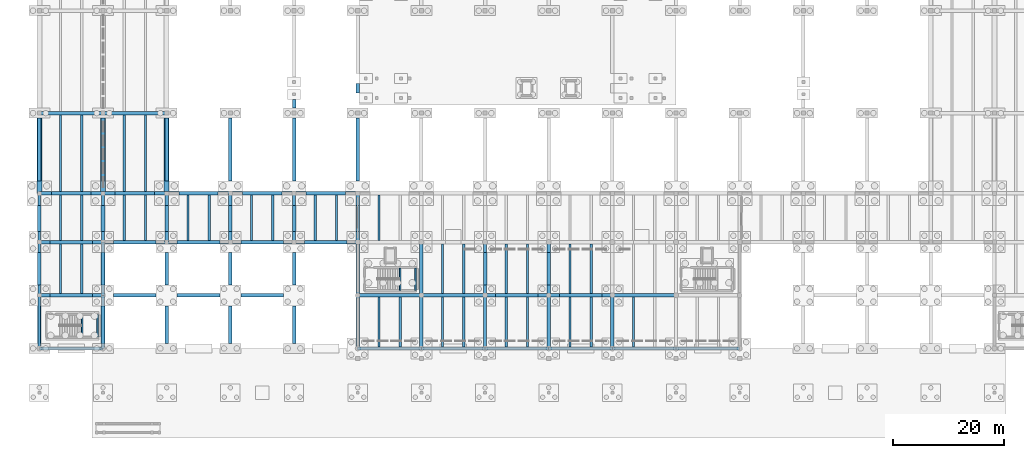
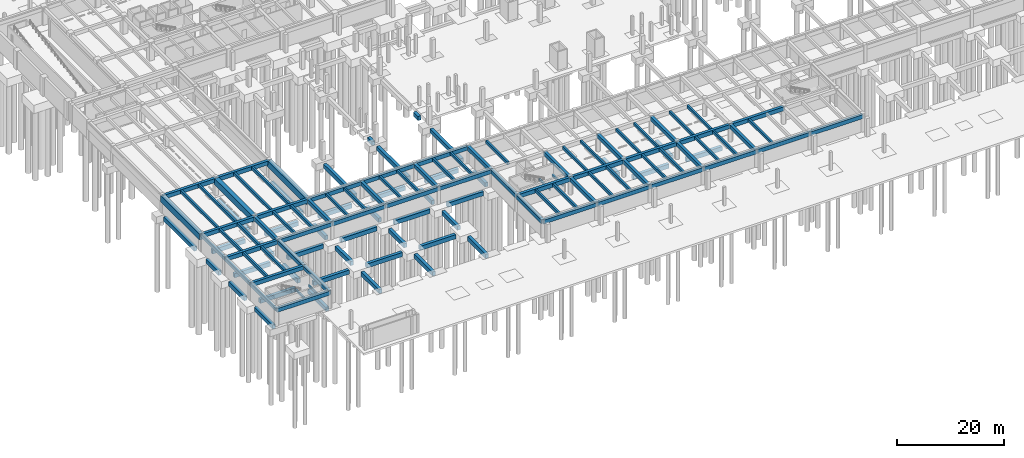
# One storey, part 11 of 28: 125 beams.
"""IFC4 building model written with IfcOpenShell, lengths in metres."""

from ifc_helpers import new_model, si_unit, direction, frame, origin, origin_2d, place, context, subcontext, project, spatial, rectangle, extrude, material, material_profile, profile_set, type_object, element, save


model = new_model("IFC4")

# Units and contexts
model_context = context("Model", 3, precision=1e-05, world=origin(), true_north=direction((0.0, 1.0)))
body_context = subcontext(model_context, "Body", "Model", "MODEL_VIEW")
ifc_project = project(units=[si_unit("LENGTHUNIT", "METRE"), si_unit("AREAUNIT", "SQUARE_METRE"), si_unit("VOLUMEUNIT", "CUBIC_METRE"), si_unit("PLANEANGLEUNIT", "RADIAN"), si_unit("MASSUNIT", "GRAM", prefix="KILO")], contexts=[model_context])

# Site, building, storey
site_placement = place(None, origin())
site = spatial("IfcSite", under=ifc_project, at=site_placement, CompositionType="ELEMENT")
building_placement = place(site_placement, origin())
building = spatial("IfcBuilding", under=site, at=building_placement, Name="Ologun Quay Terminus", CompositionType="ELEMENT")
storey_placement = place(building_placement, frame((0.0, 0.0, -8.39990234375)))
storey = spatial("IfcBuildingStorey", under=building, at=storey_placement, Name="B02", CompositionType="ELEMENT", Elevation=-8.39990234375)

# Beams
ifc_material_1 = material(Name="Concrete C40/50", Category="concrete")
ifc_material_profile_1 = material_profile(ifc_material_1, rectangle(XDim=0.300048828125, YDim=0.449951171875, at=origin_2d()), Name="RC 300x450")
ifc_profile_set_1 = profile_set([ifc_material_profile_1], Name="Concrete C40/50")
beam_type_1 = type_object("IfcBeamType", Name="Core Coupling Lintel Beam 300x450", PredefinedType="LINTEL", material=ifc_profile_set_1)
for number, where, z_axis, x_axis, name in (
    (1, (7.68994140625, 10.080078125, 1.69482421875), (0.0, 1.0, 0.0), (-1.0, 0.0, 0.0), "LN1 Half-Landing Ledger Beam ST-S1-W B02"),
    (2, (10.510009765625, 10.080078125, 1.69482421875), (0.0, 1.0, 0.0), (-1.0, 0.0, 0.0), "LN1 Half-Landing Ledger Beam ST-S1-E B02"),
    (3, (65.139892578125, 18.47998046875, 1.69482421875), (0.0, 1.0, 0.0), (-1.0, 0.0, 0.0), "LN1 Half-Landing Ledger Beam ST-S3-W B02"),
    (4, (67.9599609375, 18.47998046875, 1.69482421875), (0.0, 1.0, 0.0), (-1.0, 0.0, 0.0), "LN1 Half-Landing Ledger Beam ST-S3-E B02"),
):
    element("IfcBeam", number, at=place(storey_placement, frame(where, z_axis=z_axis, x_axis=x_axis)), inside=storey, type_object=beam_type_1, Name=name, PredefinedType="LINTEL", context=body_context, shape_type="SweptSolid", body=[
        extrude(rectangle(XDim=0.300048828125, YDim=0.449951171875, at=origin_2d()), origin(), (0.0, 0.0, 1.0), 4.0400390625),
    ])
ifc_material_2 = material(Name="Concrete C35/45", Category="concrete")
ifc_material_profile_2 = material_profile(ifc_material_2, rectangle(XDim=0.64990234375, YDim=0.949951171875, at=origin_2d()), Name="RC 650x950")
ifc_profile_set_2 = profile_set([ifc_material_profile_2], Name="Concrete C35/45")
beam_type_2 = type_object("IfcBeamType", Name="Foundation Tie Beam 650x950", PredefinedType="BEAM", material=ifc_profile_set_2)
for number, where, z_axis, x_axis, name in (
    (5, (1.89990234375, 17.60009765625, -0.925048828125), (1.0, 0.0, 0.0), (0.0, 1.0, 0.0), "GB1 Beam 1/C B02"),
    (6, (13.39990234375, 17.60009765625, -0.925048828125), (1.0, 0.0, 0.0), (0.0, 1.0, 0.0), "GB1 Beam 1/C B02"),
    (7, (24.89990234375, 17.60009765625, -0.925048828125), (1.0, 0.0, 0.0), (0.0, 1.0, 0.0), "GB1 Beam 1/C B02"),
    (8, (36.39990234375, 17.60009765625, -0.925048828125), (1.0, 0.0, 0.0), (0.0, 1.0, 0.0), "GB1 Beam 1/C B02"),
    (9, (82.39990234375, 17.60009765625, -0.925048828125), (1.0, 0.0, 0.0), (0.0, 1.0, 0.0), "GB1 Beam 1/C B02"),
    (10, (93.89990234375, 17.60009765625, -0.925048828125), (1.0, 0.0, 0.0), (0.0, 1.0, 0.0), "GB1 Beam 1/C B02"),
    (11, (1.89990234375, 27.199951171875, -0.925048828125), (1.0, 0.0, 0.0), (0.0, 1.0, 0.0), "GB1 Beam 1/D B02"),
    (12, (13.39990234375, 27.199951171875, -0.925048828125), (1.0, 0.0, 0.0), (0.0, 1.0, 0.0), "GB1 Beam 1/D B02"),
    (13, (24.89990234375, 27.199951171875, -0.925048828125), (1.0, 0.0, 0.0), (0.0, 1.0, 0.0), "GB1 Beam 1/D B02"),
    (14, (36.39990234375, 27.199951171875, -0.925048828125), (1.0, 0.0, 0.0), (0.0, 1.0, 0.0), "GB1 Beam 1/D B02"),
    (15, (47.89990234375, 27.199951171875, -0.925048828125), (1.0, 0.0, 0.0), (0.0, 1.0, 0.0), "GB1 Beam 1/D B02"),
):
    element("IfcBeam", number, at=place(storey_placement, frame(where, z_axis=z_axis, x_axis=x_axis)), inside=storey, type_object=beam_type_2, Name=name, PredefinedType="BEAM", context=body_context, shape_type="SweptSolid", body=[
        extrude(rectangle(XDim=0.64990234375, YDim=0.949951171875, at=origin_2d()), origin(), (0.0, 0.0, 1.0), 7.7001953125),
    ])
for number, where, z_axis, x_axis, name in (
    (16, (2.199951171875, 36.0, -0.925048828125), (1.0, 0.0, 0.0), (0.0, 1.0, 0.0), "GB1 Beam 1/E B02"),
    (17, (13.699951171875, 36.0, -0.925048828125), (1.0, 0.0, 0.0), (0.0, 1.0, 0.0), "GB1 Beam 1/E B02"),
    (18, (25.199951171875, 36.0, -0.925048828125), (1.0, 0.0, 0.0), (0.0, 1.0, 0.0), "GB1 Beam 1/E B02"),
    (19, (36.699951171875, 36.0, -0.925048828125), (1.0, 0.0, 0.0), (0.0, 1.0, 0.0), "GB1 Beam 1/E B02"),
    (20, (48.199951171875, 36.0, -0.925048828125), (1.0, 0.0, 0.0), (0.0, 1.0, 0.0), "GB1 Beam 1/E B02"),
):
    element("IfcBeam", number, at=place(storey_placement, frame(where, z_axis=z_axis, x_axis=x_axis)), inside=storey, type_object=beam_type_2, Name=name, PredefinedType="BEAM", context=body_context, shape_type="SweptSolid", body=[
        extrude(rectangle(XDim=0.64990234375, YDim=0.949951171875, at=origin_2d()), origin(), (0.0, 0.0, 1.0), 7.10009765625),
    ])
beam_1_placement = place(storey_placement, frame((0.0, 8.89990234375, -0.925048828125), z_axis=(0.0, 1.0, 0.0), x_axis=(-1.0, 0.0, 0.0)))
element("IfcBeam", 21, at=beam_1_placement, inside=storey, type_object=beam_type_2, Name="GB1 Beam 1/B B02", PredefinedType="BEAM", context=body_context, shape_type="SweptSolid", body=[
    extrude(rectangle(XDim=0.64990234375, YDim=0.949951171875, at=origin_2d()), origin(), (0.0, 0.0, 1.0), 6.800048828125),
])
beam_2_placement = place(storey_placement, frame((0.0, 19.5, -0.925048828125), z_axis=(0.0, 1.0, 0.0), x_axis=(-1.0, 0.0, 0.0)))
element("IfcBeam", 22, at=beam_2_placement, inside=storey, type_object=beam_type_2, Name="GB1 Beam 1/B B02", PredefinedType="BEAM", context=body_context, shape_type="SweptSolid", body=[
    extrude(rectangle(XDim=0.64990234375, YDim=0.949951171875, at=origin_2d()), origin(), (0.0, 0.0, 1.0), 5.800048828125),
])
beam_3_placement = place(storey_placement, frame((0.0, 29.10009765625, -0.925048828125), z_axis=(0.0, 1.0, 0.0), x_axis=(-1.0, 0.0, 0.0)))
element("IfcBeam", 23, at=beam_3_placement, inside=storey, type_object=beam_type_2, Name="GB1 Beam 1/B B02", PredefinedType="BEAM", context=body_context, shape_type="SweptSolid", body=[
    extrude(rectangle(XDim=0.64990234375, YDim=0.949951171875, at=origin_2d()), origin(), (0.0, 0.0, 1.0), 4.699951171875),
])
beam_4_placement = place(storey_placement, frame((0.0, 38.199951171875, -0.925048828125), z_axis=(0.0, 1.0, 0.0), x_axis=(-1.0, 0.0, 0.0)))
element("IfcBeam", 24, at=beam_4_placement, inside=storey, type_object=beam_type_2, Name="GB1 Beam 1/B B02", PredefinedType="BEAM", context=body_context, shape_type="SweptSolid", body=[
    extrude(rectangle(XDim=0.64990234375, YDim=0.949951171875, at=origin_2d()), origin(), (0.0, 0.0, 1.0), 11.400146484375),
])
beam_5_placement = place(storey_placement, frame((11.5, 8.89990234375, -0.925048828125), z_axis=(0.0, 1.0, 0.0), x_axis=(-1.0, 0.0, 0.0)))
element("IfcBeam", 25, at=beam_5_placement, inside=storey, type_object=beam_type_2, Name="GB1 Beam 2/B B02", PredefinedType="BEAM", context=body_context, shape_type="SweptSolid", body=[
    extrude(rectangle(XDim=0.64990234375, YDim=0.949951171875, at=origin_2d()), origin(), (0.0, 0.0, 1.0), 6.800048828125),
])
beam_6_placement = place(storey_placement, frame((11.5, 19.5, -0.925048828125), z_axis=(0.0, 1.0, 0.0), x_axis=(-1.0, 0.0, 0.0)))
element("IfcBeam", 26, at=beam_6_placement, inside=storey, type_object=beam_type_2, Name="GB1 Beam 2/B B02", PredefinedType="BEAM", context=body_context, shape_type="SweptSolid", body=[
    extrude(rectangle(XDim=0.64990234375, YDim=0.949951171875, at=origin_2d()), origin(), (0.0, 0.0, 1.0), 5.800048828125),
])
beam_7_placement = place(storey_placement, frame((11.5, 29.10009765625, -0.925048828125), z_axis=(0.0, 1.0, 0.0), x_axis=(-1.0, 0.0, 0.0)))
element("IfcBeam", 27, at=beam_7_placement, inside=storey, type_object=beam_type_2, Name="GB1 Beam 2/B B02", PredefinedType="BEAM", context=body_context, shape_type="SweptSolid", body=[
    extrude(rectangle(XDim=0.64990234375, YDim=0.949951171875, at=origin_2d()), origin(), (0.0, 0.0, 1.0), 4.699951171875),
])
beam_8_placement = place(storey_placement, frame((11.5, 38.199951171875, -0.925048828125), z_axis=(0.0, 1.0, 0.0), x_axis=(-1.0, 0.0, 0.0)))
element("IfcBeam", 28, at=beam_8_placement, inside=storey, type_object=beam_type_2, Name="GB1 Beam 2/B B02", PredefinedType="BEAM", context=body_context, shape_type="SweptSolid", body=[
    extrude(rectangle(XDim=0.64990234375, YDim=0.949951171875, at=origin_2d()), origin(), (0.0, 0.0, 1.0), 11.400146484375),
])
beam_9_placement = place(storey_placement, frame((23.0, 8.89990234375, -0.925048828125), z_axis=(0.0, 1.0, 0.0), x_axis=(-1.0, 0.0, 0.0)))
element("IfcBeam", 29, at=beam_9_placement, inside=storey, type_object=beam_type_2, Name="GB1 Beam 3/B B02", PredefinedType="BEAM", context=body_context, shape_type="SweptSolid", body=[
    extrude(rectangle(XDim=0.64990234375, YDim=0.949951171875, at=origin_2d()), origin(), (0.0, 0.0, 1.0), 6.800048828125),
])
beam_10_placement = place(storey_placement, frame((23.0, 19.5, -0.925048828125), z_axis=(0.0, 1.0, 0.0), x_axis=(-1.0, 0.0, 0.0)))
element("IfcBeam", 30, at=beam_10_placement, inside=storey, type_object=beam_type_2, Name="GB1 Beam 3/B B02", PredefinedType="BEAM", context=body_context, shape_type="SweptSolid", body=[
    extrude(rectangle(XDim=0.64990234375, YDim=0.949951171875, at=origin_2d()), origin(), (0.0, 0.0, 1.0), 5.800048828125),
])
beam_11_placement = place(storey_placement, frame((23.0, 29.10009765625, -0.925048828125), z_axis=(0.0, 1.0, 0.0), x_axis=(-1.0, 0.0, 0.0)))
element("IfcBeam", 31, at=beam_11_placement, inside=storey, type_object=beam_type_2, Name="GB1 Beam 3/B B02", PredefinedType="BEAM", context=body_context, shape_type="SweptSolid", body=[
    extrude(rectangle(XDim=0.64990234375, YDim=0.949951171875, at=origin_2d()), origin(), (0.0, 0.0, 1.0), 4.699951171875),
])
beam_12_placement = place(storey_placement, frame((23.0, 38.199951171875, -0.925048828125), z_axis=(0.0, 1.0, 0.0), x_axis=(-1.0, 0.0, 0.0)))
element("IfcBeam", 32, at=beam_12_placement, inside=storey, type_object=beam_type_2, Name="GB1 Beam 3/B B02", PredefinedType="BEAM", context=body_context, shape_type="SweptSolid", body=[
    extrude(rectangle(XDim=0.64990234375, YDim=0.949951171875, at=origin_2d()), origin(), (0.0, 0.0, 1.0), 11.400146484375),
])
beam_13_placement = place(storey_placement, frame((34.5, 8.89990234375, -0.925048828125), z_axis=(0.0, 1.0, 0.0), x_axis=(-1.0, 0.0, 0.0)))
element("IfcBeam", 33, at=beam_13_placement, inside=storey, type_object=beam_type_2, Name="GB1 Beam 4/B B02", PredefinedType="BEAM", context=body_context, shape_type="SweptSolid", body=[
    extrude(rectangle(XDim=0.64990234375, YDim=0.949951171875, at=origin_2d()), origin(), (0.0, 0.0, 1.0), 6.800048828125),
])
beam_14_placement = place(storey_placement, frame((34.5, 19.5, -0.925048828125), z_axis=(0.0, 1.0, 0.0), x_axis=(-1.0, 0.0, 0.0)))
element("IfcBeam", 34, at=beam_14_placement, inside=storey, type_object=beam_type_2, Name="GB1 Beam 4/B B02", PredefinedType="BEAM", context=body_context, shape_type="SweptSolid", body=[
    extrude(rectangle(XDim=0.64990234375, YDim=0.949951171875, at=origin_2d()), origin(), (0.0, 0.0, 1.0), 5.800048828125),
])
beam_15_placement = place(storey_placement, frame((34.5, 29.10009765625, -0.925048828125), z_axis=(0.0, 1.0, 0.0), x_axis=(-1.0, 0.0, 0.0)))
element("IfcBeam", 35, at=beam_15_placement, inside=storey, type_object=beam_type_2, Name="GB1 Beam 4/B B02", PredefinedType="BEAM", context=body_context, shape_type="SweptSolid", body=[
    extrude(rectangle(XDim=0.64990234375, YDim=0.949951171875, at=origin_2d()), origin(), (0.0, 0.0, 1.0), 4.699951171875),
])
beam_16_placement = place(storey_placement, frame((34.5, 38.199951171875, -0.925048828125), z_axis=(0.0, 1.0, 0.0), x_axis=(-1.0, 0.0, 0.0)))
element("IfcBeam", 36, at=beam_16_placement, inside=storey, type_object=beam_type_2, Name="GB1 Beam 4/B B02", PredefinedType="BEAM", context=body_context, shape_type="SweptSolid", body=[
    extrude(rectangle(XDim=0.64990234375, YDim=0.949951171875, at=origin_2d()), origin(), (0.0, 0.0, 1.0), 11.400146484375),
])
beam_17_placement = place(storey_placement, frame((46.0, 8.89990234375, -0.925048828125), z_axis=(0.0, 1.0, 0.0), x_axis=(-1.0, 0.0, 0.0)))
element("IfcBeam", 37, at=beam_17_placement, inside=storey, type_object=beam_type_2, Name="GB1 Beam 5/B B02", PredefinedType="BEAM", context=body_context, shape_type="SweptSolid", body=[
    extrude(rectangle(XDim=0.64990234375, YDim=0.949951171875, at=origin_2d()), origin(), (0.0, 0.0, 1.0), 6.800048828125),
])
beam_18_placement = place(storey_placement, frame((46.0, 19.5, -0.925048828125), z_axis=(0.0, 1.0, 0.0), x_axis=(-1.0, 0.0, 0.0)))
element("IfcBeam", 38, at=beam_18_placement, inside=storey, type_object=beam_type_2, Name="GB1 Beam 5/B B02", PredefinedType="BEAM", context=body_context, shape_type="SweptSolid", body=[
    extrude(rectangle(XDim=0.64990234375, YDim=0.949951171875, at=origin_2d()), origin(), (0.0, 0.0, 1.0), 5.800048828125),
])
beam_19_placement = place(storey_placement, frame((46.0, 29.10009765625, -0.925048828125), z_axis=(0.0, 1.0, 0.0), x_axis=(-1.0, 0.0, 0.0)))
element("IfcBeam", 39, at=beam_19_placement, inside=storey, type_object=beam_type_2, Name="GB1 Beam 5/B B02", PredefinedType="BEAM", context=body_context, shape_type="SweptSolid", body=[
    extrude(rectangle(XDim=0.64990234375, YDim=0.949951171875, at=origin_2d()), origin(), (0.0, 0.0, 1.0), 4.699951171875),
])
beam_20_placement = place(storey_placement, frame((46.0, 38.199951171875, -0.925048828125), z_axis=(0.0, 1.0, 0.0), x_axis=(-1.0, 0.0, 0.0)))
element("IfcBeam", 40, at=beam_20_placement, inside=storey, type_object=beam_type_2, Name="GB1 Beam 5/B B02", PredefinedType="BEAM", context=body_context, shape_type="SweptSolid", body=[
    extrude(rectangle(XDim=0.64990234375, YDim=0.949951171875, at=origin_2d()), origin(), (0.0, 0.0, 1.0), 11.400146484375),
])
beam_21_placement = place(storey_placement, frame((46.0, 51.39990234375, -0.925048828125), z_axis=(0.0, 1.0, 0.0), x_axis=(-1.0, 0.0, 0.0)))
element("IfcBeam", 41, at=beam_21_placement, inside=storey, type_object=beam_type_2, Name="GB1 Beam 5/B B02", PredefinedType="BEAM", context=body_context, shape_type="SweptSolid", body=[
    extrude(rectangle(XDim=0.64990234375, YDim=0.949951171875, at=origin_2d()), origin(), (0.0, 0.0, 1.0), 1.60009765625),
])
beam_22_placement = place(storey_placement, frame((57.5, 29.10009765625, -0.925048828125), z_axis=(0.0, 1.0, 0.0), x_axis=(-1.0, 0.0, 0.0)))
element("IfcBeam", 42, at=beam_22_placement, inside=storey, type_object=beam_type_2, Name="GB1 Beam 6/B B02", PredefinedType="BEAM", context=body_context, shape_type="SweptSolid", body=[
    extrude(rectangle(XDim=0.64990234375, YDim=0.949951171875, at=origin_2d()), origin(), (0.0, 0.0, 1.0), 4.699951171875),
])
beam_23_placement = place(storey_placement, frame((57.5, 38.199951171875, -0.925048828125), z_axis=(0.0, 1.0, 0.0), x_axis=(-1.0, 0.0, 0.0)))
element("IfcBeam", 43, at=beam_23_placement, inside=storey, type_object=beam_type_2, Name="GB1 Beam 6/B B02", PredefinedType="BEAM", context=body_context, shape_type="SweptSolid", body=[
    extrude(rectangle(XDim=0.64990234375, YDim=0.949951171875, at=origin_2d()), origin(), (0.0, 0.0, 1.0), 11.400146484375),
])
beam_24_placement = place(storey_placement, frame((57.5, 54.14990234375, -0.925048828125), z_axis=(0.0, 1.0, 0.0), x_axis=(-1.0, 0.0, 0.0)))
element("IfcBeam", 44, at=beam_24_placement, inside=storey, type_object=beam_type_2, Name="GB1 Beam 6/B B02", PredefinedType="BEAM", context=body_context, shape_type="SweptSolid", body=[
    extrude(rectangle(XDim=0.64990234375, YDim=0.949951171875, at=origin_2d()), origin(), (0.0, 0.0, 1.0), 1.7001953125),
])
for number, where, z_axis, x_axis, name in (
    (45, (80.5, 19.5, -0.925048828125), (0.0, 1.0, 0.0), (-1.0, 0.0, 0.0), "GB1 Beam 8/B B02"),
    (46, (92.0, 19.5, -0.925048828125), (0.0, 1.0, 0.0), (-1.0, 0.0, 0.0), "GB1 Beam 9/B B02"),
):
    element("IfcBeam", number, at=place(storey_placement, frame(where, z_axis=z_axis, x_axis=x_axis)), inside=storey, type_object=beam_type_2, Name=name, PredefinedType="BEAM", context=body_context, shape_type="SweptSolid", body=[
        extrude(rectangle(XDim=0.64990234375, YDim=0.949951171875, at=origin_2d()), origin(), (0.0, 0.0, 1.0), 5.800048828125),
    ])
ifc_material_3 = material(Name="Concrete C45/55", Category="concrete")
ifc_material_profile_3 = material_profile(ifc_material_3, rectangle(XDim=0.89990234375, YDim=1.39990234375, at=origin_2d()), Name="RC 900x1400")
ifc_profile_set_3 = profile_set([ifc_material_profile_3], Name="Concrete C45/55")
beam_type_3 = type_object("IfcBeamType", Name="Heavy Track Deck Girder 900x1400", PredefinedType="BEAM", material=ifc_profile_set_3)
for number, where, z_axis, x_axis, name in (
    (47, (0.0, 36.0, 3.219970703125), (0.0, 1.0, 0.0), (-1.0, 0.0, 0.0), "B1 Beam 1/E B02"),
    (48, (11.5, 36.0, 3.219970703125), (0.0, 1.0, 0.0), (-1.0, 0.0, 0.0), "B1 Beam 2/E B02"),
    (49, (23.0, 36.0, 3.219970703125), (0.0, 1.0, 0.0), (-1.0, 0.0, 0.0), "B1 Beam 3/E B02"),
):
    element("IfcBeam", number, at=place(storey_placement, frame(where, z_axis=z_axis, x_axis=x_axis)), inside=storey, type_object=beam_type_3, Name=name, PredefinedType="BEAM", context=body_context, shape_type="SweptSolid", body=[
        extrude(rectangle(XDim=0.89990234375, YDim=1.39990234375, at=origin_2d()), origin(), (0.0, 0.0, 1.0), 14.5),
    ])
ifc_material_4 = material(Name="Concrete C40/50", Category="concrete")
ifc_material_profile_4 = material_profile(ifc_material_4, rectangle(XDim=0.449951171875, YDim=0.699951171875, at=origin_2d()), Name="RC 450x700")
ifc_profile_set_4 = profile_set([ifc_material_profile_4], Name="Concrete C40/50")
beam_type_4 = type_object("IfcBeamType", Name="Perimeter Spandrel Beam 450x700", PredefinedType="SPANDREL", material=ifc_profile_set_4)
beam_25_placement = place(storey_placement, frame((0.0, 8.0, 3.56982421875), z_axis=(0.0, 1.0, 0.0), x_axis=(-1.0, 0.0, 0.0)))
element("IfcBeam", 50, at=beam_25_placement, inside=storey, type_object=beam_type_4, Name="SP1 Beam 1/B B02", PredefinedType="SPANDREL", context=body_context, shape_type="SweptSolid", body=[
    extrude(rectangle(XDim=0.449951171875, YDim=0.699951171875, at=origin_2d()), origin(), (0.0, 0.0, 1.0), 9.60009765625),
])
beam_26_placement = place(storey_placement, frame((0.0, 17.60009765625, 3.56982421875), z_axis=(0.0, 1.0, 0.0), x_axis=(-1.0, 0.0, 0.0)))
element("IfcBeam", 51, at=beam_26_placement, inside=storey, type_object=beam_type_4, Name="SP1 Beam 1/C B02", PredefinedType="SPANDREL", context=body_context, shape_type="SweptSolid", body=[
    extrude(rectangle(XDim=0.449951171875, YDim=0.699951171875, at=origin_2d()), origin(), (0.0, 0.0, 1.0), 9.599853515625),
])
beam_27_placement = place(storey_placement, frame((0.0, 27.199951171875, 3.56982421875), z_axis=(0.0, 1.0, 0.0), x_axis=(-1.0, 0.0, 0.0)))
element("IfcBeam", 52, at=beam_27_placement, inside=storey, type_object=beam_type_4, Name="SP1 Beam 1/D B02", PredefinedType="SPANDREL", context=body_context, shape_type="SweptSolid", body=[
    extrude(rectangle(XDim=0.449951171875, YDim=0.699951171875, at=origin_2d()), origin(), (0.0, 0.0, 1.0), 8.800048828125),
])
ifc_material_5 = material(Name="Concrete C40/50", Category="concrete")
ifc_material_profile_5 = material_profile(ifc_material_5, rectangle(XDim=0.60009765625, YDim=0.89990234375, at=origin_2d()), Name="RC 600x900")
ifc_profile_set_5 = profile_set([ifc_material_profile_5], Name="Concrete C40/50")
beam_type_5 = type_object("IfcBeamType", Name="Station Frame Girder 600x900", PredefinedType="BEAM", material=ifc_profile_set_5)
for number, where, z_axis, x_axis, name in (
    (53, (0.0, 8.0, 3.469970703125), (1.0, 0.0, 0.0), (0.0, 1.0, 0.0), "B3 Beam 1/B B02"),
    (54, (57.5, 8.0, 3.469970703125), (1.0, 0.0, 0.0), (0.0, 1.0, 0.0), "B3 Beam 6/B B02"),
    (55, (69.0, 8.0, 3.469970703125), (1.0, 0.0, 0.0), (0.0, 1.0, 0.0), "B3 Beam 7/B B02"),
    (56, (80.5, 8.0, 3.469970703125), (1.0, 0.0, 0.0), (0.0, 1.0, 0.0), "B3 Beam 8/B B02"),
    (57, (92.0, 8.0, 3.469970703125), (1.0, 0.0, 0.0), (0.0, 1.0, 0.0), "B3 Beam 9/B B02"),
    (58, (103.5, 8.0, 3.469970703125), (1.0, 0.0, 0.0), (0.0, 1.0, 0.0), "B3 Beam 10/B B02"),
    (59, (115.0, 8.0, 3.469970703125), (1.0, 0.0, 0.0), (0.0, 1.0, 0.0), "B3 Beam 11/B B02"),
    (60, (0.0, 17.60009765625, 3.469970703125), (1.0, 0.0, 0.0), (0.0, 1.0, 0.0), "B3 Beam 1/C B02"),
    (61, (57.5, 17.60009765625, 3.469970703125), (1.0, 0.0, 0.0), (0.0, 1.0, 0.0), "B3 Beam 6/C B02"),
    (62, (69.0, 17.60009765625, 3.469970703125), (1.0, 0.0, 0.0), (0.0, 1.0, 0.0), "B3 Beam 7/C B02"),
    (63, (80.5, 17.60009765625, 3.469970703125), (1.0, 0.0, 0.0), (0.0, 1.0, 0.0), "B3 Beam 8/C B02"),
    (64, (92.0, 17.60009765625, 3.469970703125), (1.0, 0.0, 0.0), (0.0, 1.0, 0.0), "B3 Beam 9/C B02"),
    (65, (103.5, 17.60009765625, 3.469970703125), (1.0, 0.0, 0.0), (0.0, 1.0, 0.0), "B3 Beam 10/C B02"),
    (66, (0.0, 27.199951171875, 3.469970703125), (1.0, 0.0, 0.0), (0.0, 1.0, 0.0), "B3 Beam 1/D B02"),
    (67, (11.5, 27.199951171875, 3.469970703125), (1.0, 0.0, 0.0), (0.0, 1.0, 0.0), "B3 Beam 2/D B02"),
    (68, (23.0, 27.199951171875, 3.469970703125), (1.0, 0.0, 0.0), (0.0, 1.0, 0.0), "B3 Beam 3/D B02"),
    (69, (34.5, 27.199951171875, 3.469970703125), (1.0, 0.0, 0.0), (0.0, 1.0, 0.0), "B3 Beam 4/D B02"),
    (70, (46.0, 27.199951171875, 3.469970703125), (1.0, 0.0, 0.0), (0.0, 1.0, 0.0), "B3 Beam 5/D B02"),
    (71, (0.0, 36.0, 3.469970703125), (1.0, 0.0, 0.0), (0.0, 1.0, 0.0), "B3 Beam 1/E B02"),
    (72, (11.5, 36.0, 3.469970703125), (1.0, 0.0, 0.0), (0.0, 1.0, 0.0), "B3 Beam 2/E B02"),
    (73, (23.0, 36.0, 3.469970703125), (1.0, 0.0, 0.0), (0.0, 1.0, 0.0), "B3 Beam 3/E B02"),
    (74, (34.5, 36.0, 3.469970703125), (1.0, 0.0, 0.0), (0.0, 1.0, 0.0), "B3 Beam 4/E B02"),
    (75, (46.0, 36.0, 3.469970703125), (1.0, 0.0, 0.0), (0.0, 1.0, 0.0), "B3 Beam 5/E B02"),
    (76, (0.0, 50.5, 3.469970703125), (1.0, 0.0, 0.0), (0.0, 1.0, 0.0), "B3 Beam 1/E B02"),
    (77, (11.5, 50.5, 3.469970703125), (1.0, 0.0, 0.0), (0.0, 1.0, 0.0), "B3 Beam 2/E B02"),
):
    element("IfcBeam", number, at=place(storey_placement, frame(where, z_axis=z_axis, x_axis=x_axis)), inside=storey, type_object=beam_type_5, Name=name, PredefinedType="BEAM", context=body_context, shape_type="SweptSolid", body=[
        extrude(rectangle(XDim=0.60009765625, YDim=0.89990234375, at=origin_2d()), origin(), (0.0, 0.0, 1.0), 11.5),
    ])
beam_28_placement = place(storey_placement, frame((11.5, 8.0, 3.469970703125), z_axis=(0.0, 1.0, 0.0), x_axis=(-1.0, 0.0, 0.0)))
element("IfcBeam", 78, at=beam_28_placement, inside=storey, type_object=beam_type_5, Name="B3 Beam 2/B B02", PredefinedType="BEAM", context=body_context, shape_type="SweptSolid", body=[
    extrude(rectangle(XDim=0.60009765625, YDim=0.89990234375, at=origin_2d()), origin(), (0.0, 0.0, 1.0), 9.60009765625),
])
beam_29_placement = place(storey_placement, frame((11.5, 17.60009765625, 3.469970703125), z_axis=(0.0, 1.0, 0.0), x_axis=(-1.0, 0.0, 0.0)))
element("IfcBeam", 79, at=beam_29_placement, inside=storey, type_object=beam_type_5, Name="B3 Beam 2/C B02", PredefinedType="BEAM", context=body_context, shape_type="SweptSolid", body=[
    extrude(rectangle(XDim=0.60009765625, YDim=0.89990234375, at=origin_2d()), origin(), (0.0, 0.0, 1.0), 9.599853515625),
])
for number, where, z_axis, x_axis, name in (
    (80, (11.5, 27.199951171875, 3.469970703125), (0.0, 1.0, 0.0), (-1.0, 0.0, 0.0), "B3 Beam 2/D B02"),
    (81, (23.0, 27.199951171875, 3.469970703125), (0.0, 1.0, 0.0), (-1.0, 0.0, 0.0), "B3 Beam 3/D B02"),
    (82, (34.5, 27.199951171875, 3.469970703125), (0.0, 1.0, 0.0), (-1.0, 0.0, 0.0), "B3 Beam 4/D B02"),
    (83, (46.0, 27.199951171875, 3.469970703125), (0.0, 1.0, 0.0), (-1.0, 0.0, 0.0), "B3 Beam 5/D B02"),
):
    element("IfcBeam", number, at=place(storey_placement, frame(where, z_axis=z_axis, x_axis=x_axis)), inside=storey, type_object=beam_type_5, Name=name, PredefinedType="BEAM", context=body_context, shape_type="SweptSolid", body=[
        extrude(rectangle(XDim=0.60009765625, YDim=0.89990234375, at=origin_2d()), origin(), (0.0, 0.0, 1.0), 8.800048828125),
    ])
beam_30_placement = place(storey_placement, frame((57.5, 8.0, 3.469970703125), z_axis=(0.0, 1.0, 0.0), x_axis=(-1.0, 0.0, 0.0)))
element("IfcBeam", 84, at=beam_30_placement, inside=storey, type_object=beam_type_5, Name="B3 Beam 6/B B02", PredefinedType="BEAM", context=body_context, shape_type="SweptSolid", body=[
    extrude(rectangle(XDim=0.60009765625, YDim=0.89990234375, at=origin_2d()), origin(), (0.0, 0.0, 1.0), 9.60009765625),
])
beam_31_placement = place(storey_placement, frame((57.5, 17.60009765625, 3.469970703125), z_axis=(0.0, 1.0, 0.0), x_axis=(-1.0, 0.0, 0.0)))
element("IfcBeam", 85, at=beam_31_placement, inside=storey, type_object=beam_type_5, Name="B3 Beam 6/C B02", PredefinedType="BEAM", context=body_context, shape_type="SweptSolid", body=[
    extrude(rectangle(XDim=0.60009765625, YDim=0.89990234375, at=origin_2d()), origin(), (0.0, 0.0, 1.0), 9.599853515625),
])
beam_32_placement = place(storey_placement, frame((57.5, 27.199951171875, 3.469970703125), z_axis=(0.0, 1.0, 0.0), x_axis=(-1.0, 0.0, 0.0)))
element("IfcBeam", 86, at=beam_32_placement, inside=storey, type_object=beam_type_5, Name="B3 Beam 6/D B02", PredefinedType="BEAM", context=body_context, shape_type="SweptSolid", body=[
    extrude(rectangle(XDim=0.60009765625, YDim=0.89990234375, at=origin_2d()), origin(), (0.0, 0.0, 1.0), 8.800048828125),
])
beam_33_placement = place(storey_placement, frame((69.0, 8.0, 3.469970703125), z_axis=(0.0, 1.0, 0.0), x_axis=(-1.0, 0.0, 0.0)))
element("IfcBeam", 87, at=beam_33_placement, inside=storey, type_object=beam_type_5, Name="B3 Beam 7/B B02", PredefinedType="BEAM", context=body_context, shape_type="SweptSolid", body=[
    extrude(rectangle(XDim=0.60009765625, YDim=0.89990234375, at=origin_2d()), origin(), (0.0, 0.0, 1.0), 9.60009765625),
])
beam_34_placement = place(storey_placement, frame((69.0, 17.60009765625, 3.469970703125), z_axis=(0.0, 1.0, 0.0), x_axis=(-1.0, 0.0, 0.0)))
element("IfcBeam", 88, at=beam_34_placement, inside=storey, type_object=beam_type_5, Name="B3 Beam 7/C B02", PredefinedType="BEAM", context=body_context, shape_type="SweptSolid", body=[
    extrude(rectangle(XDim=0.60009765625, YDim=0.89990234375, at=origin_2d()), origin(), (0.0, 0.0, 1.0), 9.599853515625),
])
beam_35_placement = place(storey_placement, frame((80.5, 8.0, 3.469970703125), z_axis=(0.0, 1.0, 0.0), x_axis=(-1.0, 0.0, 0.0)))
element("IfcBeam", 89, at=beam_35_placement, inside=storey, type_object=beam_type_5, Name="B3 Beam 8/B B02", PredefinedType="BEAM", context=body_context, shape_type="SweptSolid", body=[
    extrude(rectangle(XDim=0.60009765625, YDim=0.89990234375, at=origin_2d()), origin(), (0.0, 0.0, 1.0), 9.60009765625),
])
beam_36_placement = place(storey_placement, frame((80.5, 17.60009765625, 3.469970703125), z_axis=(0.0, 1.0, 0.0), x_axis=(-1.0, 0.0, 0.0)))
element("IfcBeam", 90, at=beam_36_placement, inside=storey, type_object=beam_type_5, Name="B3 Beam 8/C B02", PredefinedType="BEAM", context=body_context, shape_type="SweptSolid", body=[
    extrude(rectangle(XDim=0.60009765625, YDim=0.89990234375, at=origin_2d()), origin(), (0.0, 0.0, 1.0), 9.599853515625),
])
beam_37_placement = place(storey_placement, frame((92.0, 8.0, 3.469970703125), z_axis=(0.0, 1.0, 0.0), x_axis=(-1.0, 0.0, 0.0)))
element("IfcBeam", 91, at=beam_37_placement, inside=storey, type_object=beam_type_5, Name="B3 Beam 9/B B02", PredefinedType="BEAM", context=body_context, shape_type="SweptSolid", body=[
    extrude(rectangle(XDim=0.60009765625, YDim=0.89990234375, at=origin_2d()), origin(), (0.0, 0.0, 1.0), 9.60009765625),
])
beam_38_placement = place(storey_placement, frame((92.0, 17.60009765625, 3.469970703125), z_axis=(0.0, 1.0, 0.0), x_axis=(-1.0, 0.0, 0.0)))
element("IfcBeam", 92, at=beam_38_placement, inside=storey, type_object=beam_type_5, Name="B3 Beam 9/C B02", PredefinedType="BEAM", context=body_context, shape_type="SweptSolid", body=[
    extrude(rectangle(XDim=0.60009765625, YDim=0.89990234375, at=origin_2d()), origin(), (0.0, 0.0, 1.0), 9.599853515625),
])
beam_39_placement = place(storey_placement, frame((103.5, 8.0, 3.469970703125), z_axis=(0.0, 1.0, 0.0), x_axis=(-1.0, 0.0, 0.0)))
element("IfcBeam", 93, at=beam_39_placement, inside=storey, type_object=beam_type_5, Name="B3 Beam 10/B B02", PredefinedType="BEAM", context=body_context, shape_type="SweptSolid", body=[
    extrude(rectangle(XDim=0.60009765625, YDim=0.89990234375, at=origin_2d()), origin(), (0.0, 0.0, 1.0), 9.60009765625),
])
ifc_material_6 = material(Name="Concrete C40/50", Category="concrete")
ifc_material_profile_6 = material_profile(ifc_material_6, rectangle(XDim=0.39990234375, YDim=0.64990234375, at=origin_2d()), Name="RC 400x650")
ifc_profile_set_6 = profile_set([ifc_material_profile_6], Name="Concrete C40/50")
beam_type_6 = type_object("IfcBeamType", Name="Station Secondary Joist 400x650", PredefinedType="JOIST", material=ifc_profile_set_6)
for number, where, z_axis, x_axis, name in (
    (94, (3.833251953125, 36.300048828125, 3.594970703125), (0.0, 1.0, 0.0), (-1.0, 0.0, 0.0), "J1 Beam 1/E B02"),
    (95, (7.666748046875, 36.300048828125, 3.594970703125), (0.0, 1.0, 0.0), (-1.0, 0.0, 0.0), "J1 Beam 1/E B02"),
    (96, (15.333251953125, 36.300048828125, 3.594970703125), (0.0, 1.0, 0.0), (-1.0, 0.0, 0.0), "J1 Beam 2/E B02"),
    (97, (19.166748046875, 36.300048828125, 3.594970703125), (0.0, 1.0, 0.0), (-1.0, 0.0, 0.0), "J1 Beam 2/E B02"),
):
    element("IfcBeam", number, at=place(storey_placement, frame(where, z_axis=z_axis, x_axis=x_axis)), inside=storey, type_object=beam_type_6, Name=name, PredefinedType="JOIST", context=body_context, shape_type="SweptSolid", body=[
        extrude(rectangle(XDim=0.39990234375, YDim=0.64990234375, at=origin_2d()), origin(), (0.0, 0.0, 1.0), 13.89990234375),
    ])
for number, where, z_axis, x_axis, name in (
    (98, (3.833251953125, 17.89990234375, 3.594970703125), (0.0, 1.0, 0.0), (-1.0, 0.0, 0.0), "J1 Beam 1/C B02"),
    (99, (7.666748046875, 17.89990234375, 3.594970703125), (0.0, 1.0, 0.0), (-1.0, 0.0, 0.0), "J1 Beam 1/C B02"),
):
    element("IfcBeam", number, at=place(storey_placement, frame(where, z_axis=z_axis, x_axis=x_axis)), inside=storey, type_object=beam_type_6, Name=name, PredefinedType="JOIST", context=body_context, shape_type="SweptSolid", body=[
        extrude(rectangle(XDim=0.39990234375, YDim=0.64990234375, at=origin_2d()), origin(), (0.0, 0.0, 1.0), 9.0),
    ])
for number, where, z_axis, x_axis, name in (
    (100, (3.833251953125, 27.5, 3.594970703125), (0.0, 1.0, 0.0), (-1.0, 0.0, 0.0), "J1 Beam 1/D B02"),
    (101, (7.666748046875, 27.5, 3.594970703125), (0.0, 1.0, 0.0), (-1.0, 0.0, 0.0), "J1 Beam 1/D B02"),
    (102, (15.333251953125, 27.5, 3.594970703125), (0.0, 1.0, 0.0), (-1.0, 0.0, 0.0), "J1 Beam 2/D B02"),
    (103, (19.166748046875, 27.5, 3.594970703125), (0.0, 1.0, 0.0), (-1.0, 0.0, 0.0), "J1 Beam 2/D B02"),
    (104, (26.833251953125, 27.5, 3.594970703125), (0.0, 1.0, 0.0), (-1.0, 0.0, 0.0), "J1 Beam 3/D B02"),
    (105, (30.666748046875, 27.5, 3.594970703125), (0.0, 1.0, 0.0), (-1.0, 0.0, 0.0), "J1 Beam 3/D B02"),
    (106, (38.333251953125, 27.5, 3.594970703125), (0.0, 1.0, 0.0), (-1.0, 0.0, 0.0), "J1 Beam 4/D B02"),
    (107, (42.166748046875, 27.5, 3.594970703125), (0.0, 1.0, 0.0), (-1.0, 0.0, 0.0), "J1 Beam 4/D B02"),
    (108, (49.833251953125, 27.5, 3.594970703125), (0.0, 1.0, 0.0), (-1.0, 0.0, 0.0), "J1 Beam 5/D B02"),
    (109, (53.666748046875, 27.5, 3.594970703125), (0.0, 1.0, 0.0), (-1.0, 0.0, 0.0), "J1 Beam 5/D B02"),
):
    element("IfcBeam", number, at=place(storey_placement, frame(where, z_axis=z_axis, x_axis=x_axis)), inside=storey, type_object=beam_type_6, Name=name, PredefinedType="JOIST", context=body_context, shape_type="SweptSolid", body=[
        extrude(rectangle(XDim=0.39990234375, YDim=0.64990234375, at=origin_2d()), origin(), (0.0, 0.0, 1.0), 8.199951171875),
    ])
for number, where, z_axis, x_axis, name in (
    (110, (61.333251953125, 8.300048828125, 3.594970703125), (0.0, 1.0, 0.0), (-1.0, 0.0, 0.0), "J1 Beam 6/B B02"),
    (111, (65.166748046875, 8.300048828125, 3.594970703125), (0.0, 1.0, 0.0), (-1.0, 0.0, 0.0), "J1 Beam 6/B B02"),
):
    element("IfcBeam", number, at=place(storey_placement, frame(where, z_axis=z_axis, x_axis=x_axis)), inside=storey, type_object=beam_type_6, Name=name, PredefinedType="JOIST", context=body_context, shape_type="SweptSolid", body=[
        extrude(rectangle(XDim=0.39990234375, YDim=0.64990234375, at=origin_2d()), origin(), (0.0, 0.0, 1.0), 9.0),
    ])
beam_40_placement = place(storey_placement, frame((61.333251953125, 27.5, 3.594970703125), z_axis=(0.0, 1.0, 0.0), x_axis=(-1.0, 0.0, 0.0)))
element("IfcBeam", 112, at=beam_40_placement, inside=storey, type_object=beam_type_6, Name="J1 Beam 6/D B02", PredefinedType="JOIST", context=body_context, shape_type="SweptSolid", body=[
    extrude(rectangle(XDim=0.39990234375, YDim=0.64990234375, at=origin_2d()), origin(), (0.0, 0.0, 1.0), 8.199951171875),
])
for number, where, z_axis, x_axis, name in (
    (113, (72.833251953125, 8.300048828125, 3.594970703125), (0.0, 1.0, 0.0), (-1.0, 0.0, 0.0), "J1 Beam 7/B B02"),
    (114, (76.666748046875, 8.300048828125, 3.594970703125), (0.0, 1.0, 0.0), (-1.0, 0.0, 0.0), "J1 Beam 7/B B02"),
    (115, (72.833251953125, 17.89990234375, 3.594970703125), (0.0, 1.0, 0.0), (-1.0, 0.0, 0.0), "J1 Beam 7/C B02"),
    (116, (76.666748046875, 17.89990234375, 3.594970703125), (0.0, 1.0, 0.0), (-1.0, 0.0, 0.0), "J1 Beam 7/C B02"),
    (117, (84.333251953125, 8.300048828125, 3.594970703125), (0.0, 1.0, 0.0), (-1.0, 0.0, 0.0), "J1 Beam 8/B B02"),
    (118, (88.166748046875, 8.300048828125, 3.594970703125), (0.0, 1.0, 0.0), (-1.0, 0.0, 0.0), "J1 Beam 8/B B02"),
    (119, (84.333251953125, 17.89990234375, 3.594970703125), (0.0, 1.0, 0.0), (-1.0, 0.0, 0.0), "J1 Beam 8/C B02"),
    (120, (88.166748046875, 17.89990234375, 3.594970703125), (0.0, 1.0, 0.0), (-1.0, 0.0, 0.0), "J1 Beam 8/C B02"),
    (121, (95.833251953125, 8.300048828125, 3.594970703125), (0.0, 1.0, 0.0), (-1.0, 0.0, 0.0), "J1 Beam 9/B B02"),
    (122, (99.666748046875, 8.300048828125, 3.594970703125), (0.0, 1.0, 0.0), (-1.0, 0.0, 0.0), "J1 Beam 9/B B02"),
    (123, (95.833251953125, 17.89990234375, 3.594970703125), (0.0, 1.0, 0.0), (-1.0, 0.0, 0.0), "J1 Beam 9/C B02"),
    (124, (99.666748046875, 17.89990234375, 3.594970703125), (0.0, 1.0, 0.0), (-1.0, 0.0, 0.0), "J1 Beam 9/C B02"),
    (125, (107.333251953125, 8.300048828125, 3.594970703125), (0.0, 1.0, 0.0), (-1.0, 0.0, 0.0), "J1 Beam 10/B B02"),
):
    element("IfcBeam", number, at=place(storey_placement, frame(where, z_axis=z_axis, x_axis=x_axis)), inside=storey, type_object=beam_type_6, Name=name, PredefinedType="JOIST", context=body_context, shape_type="SweptSolid", body=[
        extrude(rectangle(XDim=0.39990234375, YDim=0.64990234375, at=origin_2d()), origin(), (0.0, 0.0, 1.0), 9.0),
    ])

save(model, "model.ifc")
